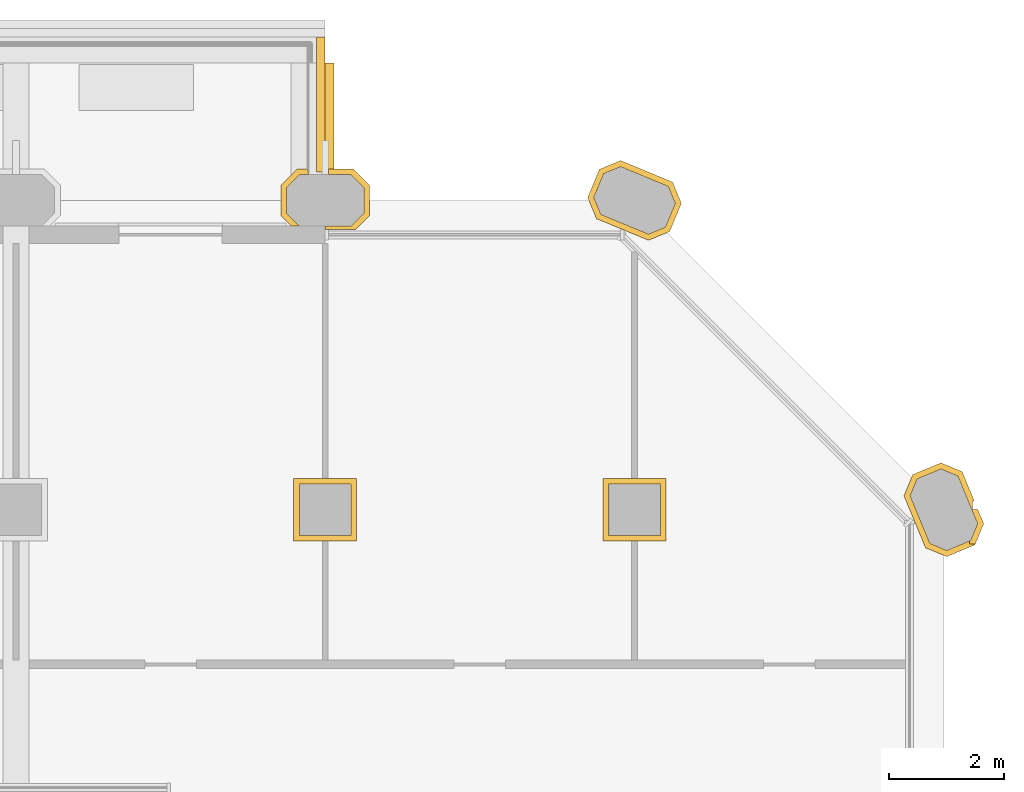
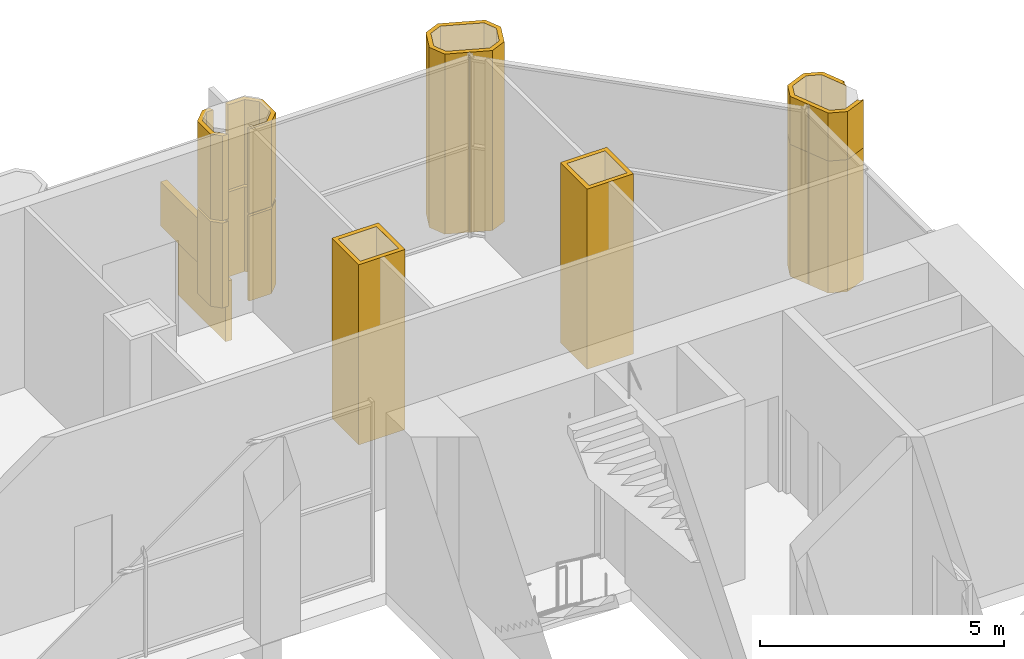
# One storey, part 15 of 15: 11 coverings.
"""IFC4 building model written with IfcOpenShell, lengths in metres."""

from ifc_helpers import new_model, si_unit, direction, frame, frame_2d, origin, place, context, subcontext, project, spatial, polyline, rectangle, outline, extrude, material, layer, layer_set, type_object, element, save


model = new_model("IFC4")

# Units and contexts
model_context = context("Model", 3, precision=1e-05, world=origin(), true_north=direction((0.0, 1.0)))
body_context = subcontext(model_context, "Body", "Model", "MODEL_VIEW")
ifc_project = project(units=[si_unit("LENGTHUNIT", "METRE"), si_unit("AREAUNIT", "SQUARE_METRE"), si_unit("VOLUMEUNIT", "CUBIC_METRE"), si_unit("PLANEANGLEUNIT", "RADIAN"), si_unit("MASSUNIT", "GRAM", prefix="KILO")], contexts=[model_context])

# Site, building, storey
site_placement = place(None, origin())
site = spatial("IfcSite", under=ifc_project, at=site_placement, CompositionType="ELEMENT")
building_placement = place(site_placement, origin())
building = spatial("IfcBuilding", under=site, at=building_placement, Name="Tabaq Tower and Sports Hall", CompositionType="ELEMENT")
storey_placement = place(building_placement, frame((0.0, 0.0, 138.39990234375)))
storey = spatial("IfcBuildingStorey", under=building, at=storey_placement, Name="L32", CompositionType="ELEMENT", Elevation=138.39990234375)

# Coverings
ifc_material_1 = material(Name="Precast concrete C60/75", Category="concrete")
ifc_layer_1 = layer(ifc_material_1, 0.10009765625)
ifc_layer_set_1 = layer_set([ifc_layer_1], Name="Column cladding 100")
covering_type_1 = type_object("IfcCoveringType", Name="Column cladding 100", PredefinedType="CLADDING", material=ifc_layer_set_1)
covering_1_placement = place(storey_placement, origin())
element("IfcCovering", 1, at=covering_1_placement, inside=storey, type_object=covering_type_1, Name="Column cladding L32 CC-7H-S1", PredefinedType="CLADDING", context=body_context, shape_type="SweptSolid", body=[
    extrude(outline(polyline([(31.850341796875, 38.349609375), (32.94970703125, 38.349609375), (32.94970703125, 37.250244140625), (31.850341796875, 37.250244140625), (31.850341796875, 38.349609375)]), holes=[polyline([(32.850341796875, 37.349609375), (32.850341796875, 38.250244140625), (31.94970703125, 38.250244140625), (31.94970703125, 37.349609375), (32.850341796875, 37.349609375)])]), origin(), (0.0, 0.0, 1.0), 4.5),
])
covering_2_placement = place(storey_placement, frame((0.0, 0.0, 0.10009765625)))
element("IfcCovering", 2, at=covering_2_placement, inside=storey, type_object=covering_type_1, Name="Column cladding L32 PC-7I-S1", PredefinedType="CLADDING", context=body_context, shape_type="SweptSolid", body=[
    extrude(outline(polyline([(32.891357421875, 43.749755859375), (33.1748046875, 43.46630859375), (33.1748046875, 42.93359375), (32.931396484375, 42.690185546875), (32.400390625, 42.690185546875), (32.400390625, 42.749755859375), (32.85009765625, 42.749755859375), (33.0751953125, 42.974853515625), (33.0751953125, 43.425048828125), (32.85009765625, 43.650390625), (32.460205078125, 43.650390625), (32.460205078125, 43.749755859375), (32.891357421875, 43.749755859375)])), origin(), (0.0, 0.0, 1.0), 2.1201171875),
])
covering_3_placement = place(storey_placement, frame((0.0, 0.0, 0.10009765625)))
element("IfcCovering", 3, at=covering_3_placement, inside=storey, type_object=covering_type_1, Name="Column cladding L32 PC-7I-S1 2", PredefinedType="CLADDING", context=body_context, shape_type="SweptSolid", body=[
    extrude(outline(polyline([(31.625244140625, 43.46630859375), (31.90869140625, 43.749755859375), (32.089599609375, 43.749755859375), (32.089599609375, 43.69970703125), (32.109619140625, 43.69970703125), (32.109619140625, 43.650390625), (31.949951171875, 43.650390625), (31.724609375, 43.425048828125), (31.724609375, 42.974853515625), (31.94921875, 42.750244140625), (31.80859375, 42.750244140625), (31.625244140625, 42.93359375), (31.625244140625, 43.46630859375)])), origin(), (0.0, 0.0, 1.0), 2.1201171875),
])
covering_4_placement = place(storey_placement, frame((0.0, 0.0, 2.280029296875)))
element("IfcCovering", 4, at=covering_4_placement, inside=storey, type_object=covering_type_1, Name="Column cladding L32 PC-7I-S1 2", PredefinedType="CLADDING", context=body_context, shape_type="SweptSolid", body=[
    extrude(outline(polyline([(32.891357421875, 43.749755859375), (33.1748046875, 43.46630859375), (33.1748046875, 42.93359375), (32.931396484375, 42.690185546875), (32.400390625, 42.690185546875), (32.400390625, 42.749755859375), (32.85009765625, 42.749755859375), (33.0751953125, 42.974853515625), (33.0751953125, 43.425048828125), (32.85009765625, 43.650390625), (32.460205078125, 43.650390625), (32.460205078125, 43.749755859375), (32.891357421875, 43.749755859375)])), origin(), (0.0, 0.0, 1.0), 2.1201171875),
])
covering_5_placement = place(storey_placement, frame((0.0, 0.0, 2.280029296875)))
element("IfcCovering", 5, at=covering_5_placement, inside=storey, type_object=covering_type_1, Name="Column cladding L32 PC-7I-S1 2 2", PredefinedType="CLADDING", context=body_context, shape_type="SweptSolid", body=[
    extrude(outline(polyline([(31.625244140625, 43.46630859375), (31.90869140625, 43.749755859375), (32.089599609375, 43.749755859375), (32.089599609375, 43.69970703125), (32.109619140625, 43.69970703125), (32.109619140625, 43.650390625), (31.949951171875, 43.650390625), (31.724609375, 43.425048828125), (31.724609375, 42.974853515625), (31.94921875, 42.750244140625), (31.80859375, 42.750244140625), (31.625244140625, 42.93359375), (31.625244140625, 43.46630859375)])), origin(), (0.0, 0.0, 1.0), 2.1201171875),
])
covering_6_placement = place(storey_placement, origin())
element("IfcCovering", 6, at=covering_6_placement, inside=storey, type_object=covering_type_1, Name="Column cladding L32 CC-8H-S1", PredefinedType="CLADDING", context=body_context, shape_type="SweptSolid", body=[
    extrude(outline(polyline([(37.250244140625, 38.349609375), (38.349609375, 38.349609375), (38.349609375, 37.250244140625), (37.250244140625, 37.250244140625), (37.250244140625, 38.349609375)]), holes=[polyline([(38.250244140625, 37.349609375), (38.250244140625, 38.250244140625), (37.349609375, 38.250244140625), (37.349609375, 37.349609375), (38.250244140625, 37.349609375)])]), origin(), (0.0, 0.0, 1.0), 4.5),
])
covering_7_placement = place(storey_placement, origin())
element("IfcCovering", 7, at=covering_7_placement, inside=storey, type_object=covering_type_1, Name="Column cladding L32 PC-8I-S1", PredefinedType="CLADDING", context=body_context, shape_type="SweptSolid", body=[
    extrude(outline(polyline([(38.413818359375, 42.657470703125), (38.04345703125, 42.504150390625), (37.614013671875, 42.68212890625), (37.614013671875, 42.690185546875), (37.593994140625, 42.690185546875), (37.1357421875, 42.880126953125), (36.982421875, 43.25048828125), (37.186279296875, 43.742431640625), (37.556396484375, 43.895751953125), (38.46435546875, 43.519775390625), (38.61767578125, 43.149658203125), (38.413818359375, 42.657470703125)]), holes=[polyline([(37.26220703125, 43.66650390625), (37.08984375, 43.25048828125), (37.2119140625, 42.956298828125), (38.04345703125, 42.61181640625), (38.337646484375, 42.733642578125), (38.510009765625, 43.149658203125), (38.38818359375, 43.44384765625), (37.556396484375, 43.788330078125), (37.26220703125, 43.66650390625)])]), origin(), (0.0, 0.0, 1.0), 4.5),
])
covering_8_placement = place(storey_placement, origin())
element("IfcCovering", 8, at=covering_8_placement, inside=storey, type_object=covering_type_1, Name="Column cladding L32 PC-9H-S1", PredefinedType="CLADDING", context=body_context, shape_type="SweptSolid", body=[
    extrude(outline(polyline([(43.25048828125, 36.982421875), (42.880126953125, 37.1357421875), (42.690185546875, 37.593994140625), (42.690185546875, 37.614013671875), (42.68212890625, 37.614013671875), (42.504150390625, 38.04345703125), (42.657470703125, 38.413818359375), (43.149658203125, 38.61767578125), (43.519775390625, 38.46435546875), (43.73193359375, 37.9521484375), (43.69677734375, 37.9501953125), (43.696533203125, 37.9501953125), (43.696533203125, 37.7998046875), (43.795166015625, 37.7998046875), (43.895751953125, 37.556396484375), (43.742431640625, 37.186279296875), (43.25048828125, 36.982421875)]), holes=[polyline([(43.149658203125, 38.510009765625), (42.733642578125, 38.337646484375), (42.61181640625, 38.04345703125), (42.956298828125, 37.2119140625), (43.25048828125, 37.08984375), (43.66650390625, 37.26220703125), (43.788330078125, 37.556396484375), (43.44384765625, 38.38818359375), (43.149658203125, 38.510009765625)])]), origin(), (0.0, 0.0, 1.0), 3.300048828125),
])
covering_9_placement = place(storey_placement, frame((0.0, 0.0, 3.300048828125)))
element("IfcCovering", 9, at=covering_9_placement, inside=storey, type_object=covering_type_1, Name="Column cladding L32 PC-9H-S1 head", PredefinedType="CLADDING", context=body_context, shape_type="SweptSolid", body=[
    extrude(outline(polyline([(42.880126953125, 37.1357421875), (42.690185546875, 37.593994140625), (42.690185546875, 37.614013671875), (42.68212890625, 37.614013671875), (42.504150390625, 38.04345703125), (42.657470703125, 38.413818359375), (43.149658203125, 38.61767578125), (43.519775390625, 38.46435546875), (43.73193359375, 37.9521484375), (43.69677734375, 37.9501953125), (43.696533203125, 37.9501953125), (43.696533203125, 37.80029296875), (43.687255859375, 37.80029296875), (43.44384765625, 38.38818359375), (43.149658203125, 38.510009765625), (42.733642578125, 38.337646484375), (42.61181640625, 38.04345703125), (42.956298828125, 37.2119140625), (43.25048828125, 37.08984375), (43.649658203125, 37.25537109375), (43.649658203125, 37.19970703125), (43.748046875, 37.19970703125), (43.742431640625, 37.186279296875), (43.25048828125, 36.982421875), (42.880126953125, 37.1357421875)])), origin(), (0.0, 0.0, 1.0), 1.199951171875),
])
ifc_material_2 = material(Name="Precast concrete C60/75", Category="concrete")
ifc_layer_2 = layer(ifc_material_2, 0.14990234375)
ifc_layer_set_2 = layer_set([ifc_layer_2], Name="Tray fascia 1200")
covering_type_2 = type_object("IfcCoveringType", Name="Tray fascia 1200", PredefinedType="CLADDING", material=ifc_layer_set_2)
covering_10_placement = place(storey_placement, frame((32.47509765625, 43.64990234375, -1.5), z_axis=(0.0, 0.0, 1.0), x_axis=(0.0, 1.0, 0.0)))
element("IfcCovering", 10, at=covering_10_placement, inside=storey, type_object=covering_type_2, Name="Tray fascia L32 EBT", PredefinedType="CLADDING", context=body_context, shape_type="SweptSolid", body=[
    extrude(rectangle(XDim=1.9501953125, YDim=0.14990234375, at=frame_2d((0.97509765625, 0.0))), origin(), (0.0, 0.0, 1.0), 1.5),
])
ifc_material_3 = material(Name="Precast concrete C60/75", Category="concrete")
ifc_layer_3 = layer(ifc_material_3, 0.14990234375)
ifc_layer_set_3 = layer_set([ifc_layer_3], Name="Tray upstand cladding 1100")
covering_type_3 = type_object("IfcCoveringType", Name="Tray upstand cladding 1100", PredefinedType="CLADDING", material=ifc_layer_set_3)
covering_11_placement = place(storey_placement, frame((32.324951171875, 43.699951171875, 0.0), z_axis=(0.0, 0.0, 1.0), x_axis=(0.0, 1.0, 0.0)))
element("IfcCovering", 11, at=covering_11_placement, inside=storey, type_object=covering_type_3, Name="Tray upstand cladding L32", PredefinedType="CLADDING", context=body_context, shape_type="SweptSolid", body=[
    extrude(rectangle(XDim=2.35009765625, YDim=0.14990234375, at=frame_2d((1.175048828125, 0.0))), origin(), (0.0, 0.0, 1.0), 1.10009765625),
])

save(model, "model.ifc")
